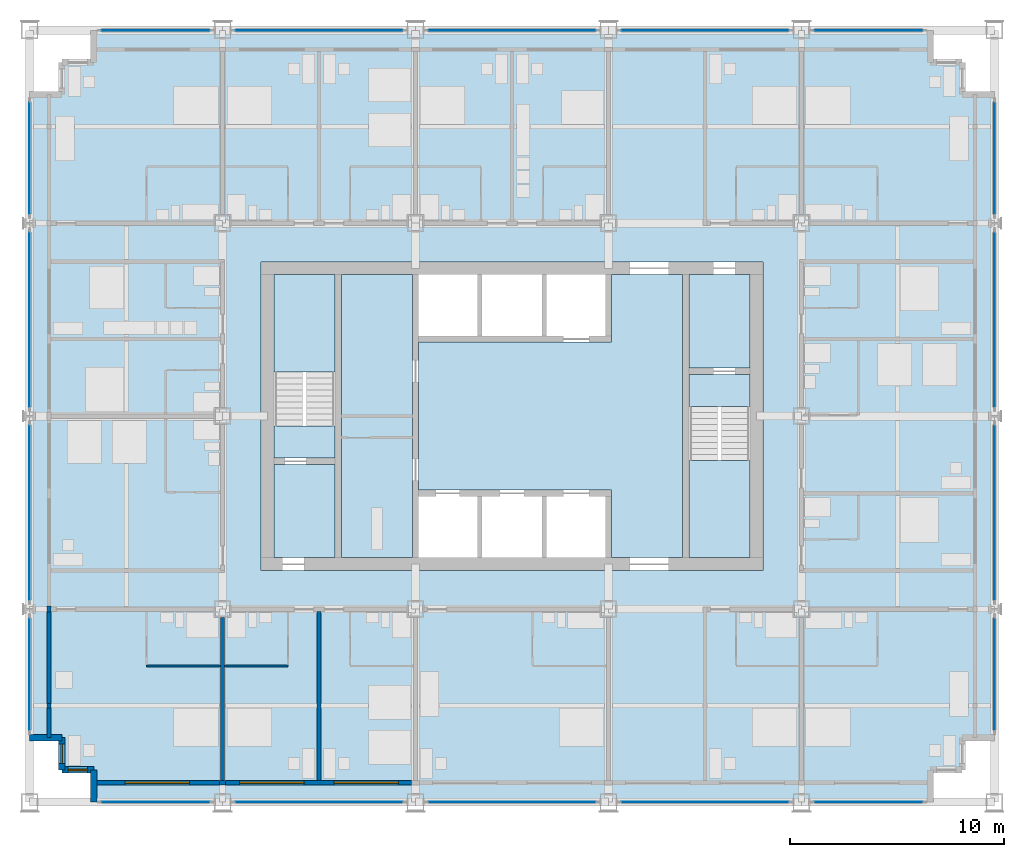
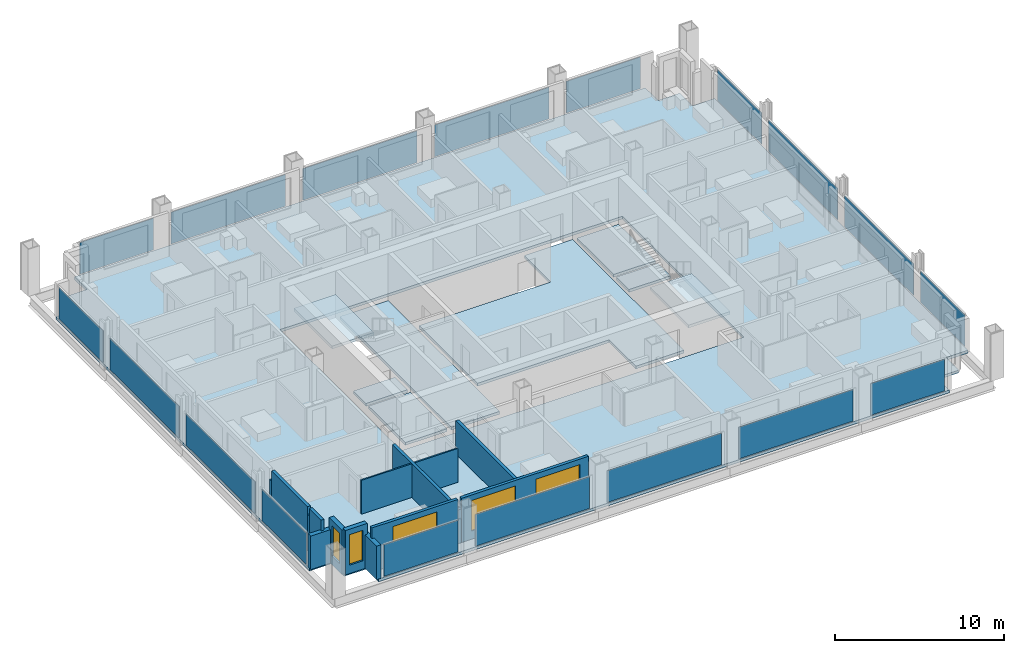
# One storey, part 8 of 17: 18 plates, 15 walls, 9 slabs, 5 windows, 5 openings, 20 elements without a shape of their own.
"""IFC4 building model written with IfcOpenShell, lengths in metres."""

from ifc_helpers import new_model, si_unit, direction, frame, frame_2d, origin, origin_2d, place, context, subcontext, project, spatial, polyline, rectangle, outline, extrude, material, layer, layer_set, type_object, element, fill, aggregate, save


model = new_model("IFC4")

# Units and contexts
model_context = context("Model", 3, precision=1e-05, world=origin(), true_north=direction((0.0, 1.0)))
body_context = subcontext(model_context, "Body", "Model", "MODEL_VIEW")
ifc_project = project(units=[si_unit("LENGTHUNIT", "METRE"), si_unit("AREAUNIT", "SQUARE_METRE"), si_unit("VOLUMEUNIT", "CUBIC_METRE"), si_unit("PLANEANGLEUNIT", "RADIAN"), si_unit("MASSUNIT", "GRAM", prefix="KILO")], contexts=[model_context])

# Site, building, storey
site_placement = place(None, origin())
site = spatial("IfcSite", under=ifc_project, at=site_placement, CompositionType="ELEMENT")
building_placement = place(site_placement, origin())
building = spatial("IfcBuilding", under=site, at=building_placement, Name="Loomwork Tower", CompositionType="ELEMENT")
storey_placement = place(building_placement, frame((0.0, 0.0, 145.199951171875)))
storey = spatial("IfcBuildingStorey", under=building, at=storey_placement, Name="L39", CompositionType="ELEMENT", Elevation=145.199951171875)

# Slabs
ifc_material_1 = material(Name="Concrete 5000 psi (34 MPa) on composite metal deck", Category="concrete")
ifc_layer_1 = layer(ifc_material_1, 0.199951171875)
ifc_layer_set_1 = layer_set([ifc_layer_1], Name="Floor slab 200")
slab_type_1 = type_object("IfcSlabType", Name="Floor slab 200", PredefinedType="FLOOR", material=ifc_layer_set_1)
slab_1_placement = place(storey_placement, frame((0.0, 0.0, -0.199951171875)))
element("IfcSlab", 1, at=slab_1_placement, inside=storey, type_object=slab_type_1, Name="Floor slab L39", PredefinedType="FLOOR", context=body_context, shape_type="SweptSolid", body=[
    extrude(outline(polyline([(3.0, 1.5), (1.5, 1.5), (1.5, 3.0), (0.0, 3.0), (0.0, 33.0), (1.5, 33.0), (1.5, 34.5), (3.0, 34.5), (3.0, 36.0), (42.0, 36.0), (42.0, 34.5), (43.5, 34.5), (43.5, 33.0), (45.0, 33.0), (45.0, 3.0), (43.5, 3.0), (43.5, 1.5), (42.0, 1.5), (42.0, 0.0), (3.0, 0.0), (3.0, 1.5)]), holes=[polyline([(10.800048828125, 11.39990234375), (10.800048828125, 11.39990234375), (10.800048828125, 10.800048828125), (34.199951171875, 10.800048828125), (34.199951171875, 11.39990234375), (34.199951171875, 11.39990234375), (34.199951171875, 24.60009765625), (34.199951171875, 25.199951171875), (10.800048828125, 25.199951171875), (10.800048828125, 24.60009765625), (10.800048828125, 11.39990234375)])]), origin(), (0.0, 0.0, 1.0), 0.199951171875),
])
slab_2_placement = place(storey_placement, frame((0.0, 0.0, -0.199951171875)))
element("IfcSlab", 2, at=slab_2_placement, inside=storey, type_object=slab_type_1, Name="Floor slab L39", PredefinedType="FLOOR", context=body_context, shape_type="SweptSolid", body=[
    extrude(outline(polyline([(30.449951171875, 24.60009765625), (30.449951171875, 11.39990234375), (27.14990234375, 11.39990234375), (27.14990234375, 14.25), (27.14990234375, 14.550048828125), (18.14990234375, 14.550048828125), (18.14990234375, 21.449951171875), (27.14990234375, 21.449951171875), (27.14990234375, 21.75), (27.14990234375, 24.60009765625), (30.449951171875, 24.60009765625)])), origin(), (0.0, 0.0, 1.0), 0.199951171875),
])
slab_3_placement = place(storey_placement, frame((0.0, 0.0, -0.199951171875)))
element("IfcSlab", 3, at=slab_3_placement, inside=storey, type_object=slab_type_1, Name="Floor slab L39", PredefinedType="FLOOR", context=body_context, shape_type="SweptSolid", body=[
    extrude(outline(polyline([(14.550048828125, 11.39990234375), (14.550048828125, 24.60009765625), (17.85009765625, 24.60009765625), (17.85009765625, 11.39990234375), (14.550048828125, 11.39990234375)])), origin(), (0.0, 0.0, 1.0), 0.199951171875),
])
slab_4_placement = place(storey_placement, frame((0.0, 0.0, -0.199951171875)))
element("IfcSlab", 4, at=slab_4_placement, inside=storey, type_object=slab_type_1, Name="Floor slab L39", PredefinedType="FLOOR", context=body_context, shape_type="SweptSolid", body=[
    extrude(outline(polyline([(33.60009765625, 20.25), (30.75, 20.25), (30.75, 24.60009765625), (33.60009765625, 24.60009765625), (33.60009765625, 20.25)])), origin(), (0.0, 0.0, 1.0), 0.199951171875),
])
slab_5_placement = place(storey_placement, frame((0.0, 0.0, -0.199951171875)))
element("IfcSlab", 5, at=slab_5_placement, inside=storey, type_object=slab_type_1, Name="Floor slab L39", PredefinedType="FLOOR", context=body_context, shape_type="SweptSolid", body=[
    extrude(outline(polyline([(14.25, 15.75), (14.25, 11.39990234375), (11.39990234375, 11.39990234375), (11.39990234375, 15.75), (14.25, 15.75)])), origin(), (0.0, 0.0, 1.0), 0.199951171875),
])

# Curtain wall, plate
ifc_material_2 = material(Name="Aluminium curtain wall frame", Category="aluminium")
curtain_wall_type = type_object("IfcCurtainWallType", Name="Outer skin glazing hotel", PredefinedType="NOTDEFINED", material=ifc_material_2)
curtain_wall_1_placement = place(storey_placement, origin())
curtain_wall_1 = element("IfcCurtainWall", 6, at=curtain_wall_1_placement, inside=storey, type_object=curtain_wall_type, Name="Outer skin glazing hotel cw/S-0", PredefinedType="NOTDEFINED")
ifc_material_3 = material(Name="Clear laminated glass", Category="glass")
ifc_layer_2 = layer(ifc_material_3, 0.02392578125)
ifc_layer_set_2 = layer_set([ifc_layer_2], Name="Outer skin glazing hotel panel")
plate_type = type_object("IfcPlateType", Name="Outer skin glazing hotel panel", PredefinedType="CURTAIN_PANEL", material=ifc_layer_set_2)
plate_1_placement = place(storey_placement, frame((5.875, 0.0, 0.06494140625), z_axis=(0.0, 0.0, 1.0), x_axis=(1.0, 0.0, 0.0)))
plate_1 = element("IfcPlate", 7, at=plate_1_placement, type_object=plate_type, Name="CW1 panel 1.1", PredefinedType="CURTAIN_PANEL", context=body_context, shape_type="SweptSolid", body=[
    extrude(rectangle(XDim=5.050048828125, YDim=0.02392578125, at=origin_2d()), origin(), (0.0, 0.0, 1.0), 2.290283203125),
])
aggregate(curtain_wall_1, [plate_1])

curtain_wall_2_placement = place(storey_placement, origin())
curtain_wall_2 = element("IfcCurtainWall", 8, at=curtain_wall_2_placement, inside=storey, type_object=curtain_wall_type, Name="Outer skin glazing hotel cw/S-9", PredefinedType="NOTDEFINED")
plate_2_placement = place(storey_placement, frame((13.5, 0.0, 0.06494140625), z_axis=(0.0, 0.0, 1.0), x_axis=(1.0, 0.0, 0.0)))
plate_2 = element("IfcPlate", 9, at=plate_2_placement, type_object=plate_type, Name="CW1 panel 1.1", PredefinedType="CURTAIN_PANEL", context=body_context, shape_type="SweptSolid", body=[
    extrude(rectangle(XDim=7.800048828125, YDim=0.02392578125, at=origin_2d()), origin(), (0.0, 0.0, 1.0), 2.290283203125),
])
aggregate(curtain_wall_2, [plate_2])

curtain_wall_3_placement = place(storey_placement, origin())
curtain_wall_3 = element("IfcCurtainWall", 10, at=curtain_wall_3_placement, inside=storey, type_object=curtain_wall_type, Name="Outer skin glazing hotel cw/S-18", PredefinedType="NOTDEFINED")
plate_3_placement = place(storey_placement, frame((22.5, 0.0, 0.06494140625), z_axis=(0.0, 0.0, 1.0), x_axis=(1.0, 0.0, 0.0)))
plate_3 = element("IfcPlate", 11, at=plate_3_placement, type_object=plate_type, Name="CW1 panel 1.1", PredefinedType="CURTAIN_PANEL", context=body_context, shape_type="SweptSolid", body=[
    extrude(rectangle(XDim=7.800048828125, YDim=0.02392578125, at=origin_2d()), origin(), (0.0, 0.0, 1.0), 2.290283203125),
])
aggregate(curtain_wall_3, [plate_3])

curtain_wall_4_placement = place(storey_placement, origin())
curtain_wall_4 = element("IfcCurtainWall", 12, at=curtain_wall_4_placement, inside=storey, type_object=curtain_wall_type, Name="Outer skin glazing hotel cw/S-27", PredefinedType="NOTDEFINED")
plate_4_placement = place(storey_placement, frame((31.5, 0.0, 0.06494140625), z_axis=(0.0, 0.0, 1.0), x_axis=(1.0, 0.0, 0.0)))
plate_4 = element("IfcPlate", 13, at=plate_4_placement, type_object=plate_type, Name="CW1 panel 1.1", PredefinedType="CURTAIN_PANEL", context=body_context, shape_type="SweptSolid", body=[
    extrude(rectangle(XDim=7.800048828125, YDim=0.02392578125, at=origin_2d()), origin(), (0.0, 0.0, 1.0), 2.290283203125),
])
aggregate(curtain_wall_4, [plate_4])

curtain_wall_5_placement = place(storey_placement, origin())
curtain_wall_5 = element("IfcCurtainWall", 14, at=curtain_wall_5_placement, inside=storey, type_object=curtain_wall_type, Name="Outer skin glazing hotel cw/S-36", PredefinedType="NOTDEFINED")
plate_5_placement = place(storey_placement, frame((39.125, 0.0, 0.06494140625), z_axis=(0.0, 0.0, 1.0), x_axis=(1.0, 0.0, 0.0)))
plate_5 = element("IfcPlate", 15, at=plate_5_placement, type_object=plate_type, Name="CW1 panel 1.1", PredefinedType="CURTAIN_PANEL", context=body_context, shape_type="SweptSolid", body=[
    extrude(rectangle(XDim=5.050048828125, YDim=0.02392578125, at=origin_2d()), origin(), (0.0, 0.0, 1.0), 2.290283203125),
])
aggregate(curtain_wall_5, [plate_5])

curtain_wall_6_placement = place(storey_placement, origin())
curtain_wall_6 = element("IfcCurtainWall", 16, at=curtain_wall_6_placement, inside=storey, type_object=curtain_wall_type, Name="Outer skin glazing hotel cw/N-0", PredefinedType="NOTDEFINED")
plate_6_placement = place(storey_placement, frame((5.875, 36.0, 0.06494140625), z_axis=(0.0, 0.0, 1.0), x_axis=(-1.0, 0.0, 0.0)))
plate_6 = element("IfcPlate", 17, at=plate_6_placement, type_object=plate_type, Name="CW1 panel 1.1", PredefinedType="CURTAIN_PANEL", context=body_context, shape_type="SweptSolid", body=[
    extrude(rectangle(XDim=5.050048828125, YDim=0.02392578125, at=origin_2d()), origin(), (0.0, 0.0, 1.0), 2.290283203125),
])
aggregate(curtain_wall_6, [plate_6])

curtain_wall_7_placement = place(storey_placement, origin())
curtain_wall_7 = element("IfcCurtainWall", 18, at=curtain_wall_7_placement, inside=storey, type_object=curtain_wall_type, Name="Outer skin glazing hotel cw/N-9", PredefinedType="NOTDEFINED")
plate_7_placement = place(storey_placement, frame((13.5, 36.0, 0.06494140625), z_axis=(0.0, 0.0, 1.0), x_axis=(-1.0, 0.0, 0.0)))
plate_7 = element("IfcPlate", 19, at=plate_7_placement, type_object=plate_type, Name="CW1 panel 1.1", PredefinedType="CURTAIN_PANEL", context=body_context, shape_type="SweptSolid", body=[
    extrude(rectangle(XDim=7.800048828125, YDim=0.02392578125, at=origin_2d()), origin(), (0.0, 0.0, 1.0), 2.290283203125),
])
aggregate(curtain_wall_7, [plate_7])

curtain_wall_8_placement = place(storey_placement, origin())
curtain_wall_8 = element("IfcCurtainWall", 20, at=curtain_wall_8_placement, inside=storey, type_object=curtain_wall_type, Name="Outer skin glazing hotel cw/N-18", PredefinedType="NOTDEFINED")
plate_8_placement = place(storey_placement, frame((22.5, 36.0, 0.06494140625), z_axis=(0.0, 0.0, 1.0), x_axis=(-1.0, 0.0, 0.0)))
plate_8 = element("IfcPlate", 21, at=plate_8_placement, type_object=plate_type, Name="CW1 panel 1.1", PredefinedType="CURTAIN_PANEL", context=body_context, shape_type="SweptSolid", body=[
    extrude(rectangle(XDim=7.800048828125, YDim=0.02392578125, at=origin_2d()), origin(), (0.0, 0.0, 1.0), 2.290283203125),
])
aggregate(curtain_wall_8, [plate_8])

curtain_wall_9_placement = place(storey_placement, origin())
curtain_wall_9 = element("IfcCurtainWall", 22, at=curtain_wall_9_placement, inside=storey, type_object=curtain_wall_type, Name="Outer skin glazing hotel cw/N-27", PredefinedType="NOTDEFINED")
plate_9_placement = place(storey_placement, frame((31.5, 36.0, 0.06494140625), z_axis=(0.0, 0.0, 1.0), x_axis=(-1.0, 0.0, 0.0)))
plate_9 = element("IfcPlate", 23, at=plate_9_placement, type_object=plate_type, Name="CW1 panel 1.1", PredefinedType="CURTAIN_PANEL", context=body_context, shape_type="SweptSolid", body=[
    extrude(rectangle(XDim=7.800048828125, YDim=0.02392578125, at=origin_2d()), origin(), (0.0, 0.0, 1.0), 2.290283203125),
])
aggregate(curtain_wall_9, [plate_9])

curtain_wall_10_placement = place(storey_placement, origin())
curtain_wall_10 = element("IfcCurtainWall", 24, at=curtain_wall_10_placement, inside=storey, type_object=curtain_wall_type, Name="Outer skin glazing hotel cw/N-36", PredefinedType="NOTDEFINED")
plate_10_placement = place(storey_placement, frame((39.125, 36.0, 0.06494140625), z_axis=(0.0, 0.0, 1.0), x_axis=(-1.0, 0.0, 0.0)))
plate_10 = element("IfcPlate", 25, at=plate_10_placement, type_object=plate_type, Name="CW1 panel 1.1", PredefinedType="CURTAIN_PANEL", context=body_context, shape_type="SweptSolid", body=[
    extrude(rectangle(XDim=5.050048828125, YDim=0.02392578125, at=origin_2d()), origin(), (0.0, 0.0, 1.0), 2.290283203125),
])
aggregate(curtain_wall_10, [plate_10])

curtain_wall_11_placement = place(storey_placement, origin())
curtain_wall_11 = element("IfcCurtainWall", 26, at=curtain_wall_11_placement, inside=storey, type_object=curtain_wall_type, Name="Outer skin glazing hotel cw/W-0", PredefinedType="NOTDEFINED")
plate_11_placement = place(storey_placement, frame((0.0, 5.964599609375, 0.06494140625), z_axis=(0.0, 0.0, 1.0), x_axis=(0.0, -1.0, 0.0)))
plate_11 = element("IfcPlate", 27, at=plate_11_placement, type_object=plate_type, Name="CW1 panel 1.1", PredefinedType="CURTAIN_PANEL", context=body_context, shape_type="SweptSolid", body=[
    extrude(rectangle(XDim=5.22900390625, YDim=0.02392578125, at=origin_2d()), origin(), (0.0, 0.0, 1.0), 2.290283203125),
])
aggregate(curtain_wall_11, [plate_11])

curtain_wall_12_placement = place(storey_placement, origin())
curtain_wall_12 = element("IfcCurtainWall", 28, at=curtain_wall_12_placement, inside=storey, type_object=curtain_wall_type, Name="Outer skin glazing hotel cw/W-9", PredefinedType="NOTDEFINED")
plate_12_placement = place(storey_placement, frame((0.0, 13.5, 0.06494140625), z_axis=(0.0, 0.0, 1.0), x_axis=(0.0, -1.0, 0.0)))
plate_12 = element("IfcPlate", 29, at=plate_12_placement, type_object=plate_type, Name="CW1 panel 1.1", PredefinedType="CURTAIN_PANEL", context=body_context, shape_type="SweptSolid", body=[
    extrude(rectangle(XDim=8.157958984375, YDim=0.02392578125, at=origin_2d()), origin(), (0.0, 0.0, 1.0), 2.290283203125),
])
aggregate(curtain_wall_12, [plate_12])

curtain_wall_13_placement = place(storey_placement, origin())
curtain_wall_13 = element("IfcCurtainWall", 30, at=curtain_wall_13_placement, inside=storey, type_object=curtain_wall_type, Name="Outer skin glazing hotel cw/W-18", PredefinedType="NOTDEFINED")
plate_13_placement = place(storey_placement, frame((0.0, 22.5, 0.06494140625), z_axis=(0.0, 0.0, 1.0), x_axis=(0.0, -1.0, 0.0)))
plate_13 = element("IfcPlate", 31, at=plate_13_placement, type_object=plate_type, Name="CW1 panel 1.1", PredefinedType="CURTAIN_PANEL", context=body_context, shape_type="SweptSolid", body=[
    extrude(rectangle(XDim=8.157958984375, YDim=0.02392578125, at=origin_2d()), origin(), (0.0, 0.0, 1.0), 2.290283203125),
])
aggregate(curtain_wall_13, [plate_13])

curtain_wall_14_placement = place(storey_placement, origin())
curtain_wall_14 = element("IfcCurtainWall", 32, at=curtain_wall_14_placement, inside=storey, type_object=curtain_wall_type, Name="Outer skin glazing hotel cw/W-27", PredefinedType="NOTDEFINED")
plate_14_placement = place(storey_placement, frame((0.0, 30.035400390625, 0.06494140625), z_axis=(0.0, 0.0, 1.0), x_axis=(0.0, -1.0, 0.0)))
plate_14 = element("IfcPlate", 33, at=plate_14_placement, type_object=plate_type, Name="CW1 panel 1.1", PredefinedType="CURTAIN_PANEL", context=body_context, shape_type="SweptSolid", body=[
    extrude(rectangle(XDim=5.22900390625, YDim=0.02392578125, at=origin_2d()), origin(), (0.0, 0.0, 1.0), 2.290283203125),
])
aggregate(curtain_wall_14, [plate_14])

curtain_wall_15_placement = place(storey_placement, origin())
curtain_wall_15 = element("IfcCurtainWall", 34, at=curtain_wall_15_placement, inside=storey, type_object=curtain_wall_type, Name="Outer skin glazing hotel cw/E-0", PredefinedType="NOTDEFINED")
plate_15_placement = place(storey_placement, frame((45.0, 5.964599609375, 0.06494140625), z_axis=(0.0, 0.0, 1.0), x_axis=(0.0, 1.0, 0.0)))
plate_15 = element("IfcPlate", 35, at=plate_15_placement, type_object=plate_type, Name="CW1 panel 1.1", PredefinedType="CURTAIN_PANEL", context=body_context, shape_type="SweptSolid", body=[
    extrude(rectangle(XDim=5.22900390625, YDim=0.02392578125, at=origin_2d()), origin(), (0.0, 0.0, 1.0), 2.290283203125),
])
aggregate(curtain_wall_15, [plate_15])

curtain_wall_16_placement = place(storey_placement, origin())
curtain_wall_16 = element("IfcCurtainWall", 36, at=curtain_wall_16_placement, inside=storey, type_object=curtain_wall_type, Name="Outer skin glazing hotel cw/E-9", PredefinedType="NOTDEFINED")
plate_16_placement = place(storey_placement, frame((45.0, 13.5, 0.06494140625), z_axis=(0.0, 0.0, 1.0), x_axis=(0.0, 1.0, 0.0)))
plate_16 = element("IfcPlate", 37, at=plate_16_placement, type_object=plate_type, Name="CW1 panel 1.1", PredefinedType="CURTAIN_PANEL", context=body_context, shape_type="SweptSolid", body=[
    extrude(rectangle(XDim=8.157958984375, YDim=0.02392578125, at=origin_2d()), origin(), (0.0, 0.0, 1.0), 2.290283203125),
])
aggregate(curtain_wall_16, [plate_16])

curtain_wall_17_placement = place(storey_placement, origin())
curtain_wall_17 = element("IfcCurtainWall", 38, at=curtain_wall_17_placement, inside=storey, type_object=curtain_wall_type, Name="Outer skin glazing hotel cw/E-18", PredefinedType="NOTDEFINED")
plate_17_placement = place(storey_placement, frame((45.0, 22.5, 0.06494140625), z_axis=(0.0, 0.0, 1.0), x_axis=(0.0, 1.0, 0.0)))
plate_17 = element("IfcPlate", 39, at=plate_17_placement, type_object=plate_type, Name="CW1 panel 1.1", PredefinedType="CURTAIN_PANEL", context=body_context, shape_type="SweptSolid", body=[
    extrude(rectangle(XDim=8.157958984375, YDim=0.02392578125, at=origin_2d()), origin(), (0.0, 0.0, 1.0), 2.290283203125),
])
aggregate(curtain_wall_17, [plate_17])

curtain_wall_18_placement = place(storey_placement, origin())
curtain_wall_18 = element("IfcCurtainWall", 40, at=curtain_wall_18_placement, inside=storey, type_object=curtain_wall_type, Name="Outer skin glazing hotel cw/E-27", PredefinedType="NOTDEFINED")
plate_18_placement = place(storey_placement, frame((45.0, 30.035400390625, 0.06494140625), z_axis=(0.0, 0.0, 1.0), x_axis=(0.0, 1.0, 0.0)))
plate_18 = element("IfcPlate", 41, at=plate_18_placement, type_object=plate_type, Name="CW1 panel 1.1", PredefinedType="CURTAIN_PANEL", context=body_context, shape_type="SweptSolid", body=[
    extrude(rectangle(XDim=5.22900390625, YDim=0.02392578125, at=origin_2d()), origin(), (0.0, 0.0, 1.0), 2.290283203125),
])
aggregate(curtain_wall_18, [plate_18])

# Stair, slabs
ifc_material_4 = material(Name="Concrete 5000 psi (34 MPa) precast stair", Category="concrete")
stair_type_1 = type_object("IfcStairType", Name="Stair ST-A 20 risers 2850 wide", PredefinedType="HALF_TURN_STAIR", material=ifc_material_4)
stair_1_placement = place(storey_placement, origin())
stair_1 = element("IfcStair", 42, at=stair_1_placement, inside=storey, type_object=stair_type_1, Name="Stair A L39", PredefinedType="HALF_TURN_STAIR")
ifc_material_5 = material(Name="Concrete 5000 psi (34 MPa)", Category="concrete")
ifc_layer_3 = layer(ifc_material_5, 0.199951171875)
ifc_layer_set_3 = layer_set([ifc_layer_3], Name="Stair landing 200")
slab_type_2 = type_object("IfcSlabType", Name="Stair landing 200", PredefinedType="LANDING", material=ifc_layer_set_3)
slab_6_placement = place(storey_placement, frame((0.0, 0.0, -0.199951171875)))
slab_6 = element("IfcSlab", 43, at=slab_6_placement, type_object=slab_type_2, Name="ST-A landing 1", PredefinedType="LANDING", context=body_context, shape_type="SweptSolid", body=[
    extrude(outline(polyline([(11.39990234375, 16.050048828125), (14.25, 16.050048828125), (14.25, 17.550048828125), (11.39990234375, 17.550048828125), (11.39990234375, 16.050048828125)])), origin(), (0.0, 0.0, 1.0), 0.199951171875),
])
slab_7_placement = place(storey_placement, frame((0.0, 0.0, 1.5)))
slab_7 = element("IfcSlab", 44, at=slab_7_placement, type_object=slab_type_2, Name="ST-A landing 2", PredefinedType="LANDING", context=body_context, shape_type="SweptSolid", body=[
    extrude(outline(polyline([(11.39990234375, 20.070068359375), (14.25, 20.070068359375), (14.25, 24.60009765625), (11.39990234375, 24.60009765625), (11.39990234375, 20.070068359375)])), origin(), (0.0, 0.0, 1.0), 0.199951171875),
])
aggregate(stair_1, [slab_6, slab_7])

ifc_material_6 = material(Name="Concrete 5000 psi (34 MPa) precast stair", Category="concrete")
stair_type_2 = type_object("IfcStairType", Name="Stair ST-B 20 risers 2850 wide", PredefinedType="HALF_TURN_STAIR", material=ifc_material_6)
stair_2_placement = place(storey_placement, origin())
stair_2 = element("IfcStair", 45, at=stair_2_placement, inside=storey, type_object=stair_type_2, Name="Stair B L39", PredefinedType="HALF_TURN_STAIR")
slab_8_placement = place(storey_placement, frame((0.0, 0.0, -0.199951171875)))
slab_8 = element("IfcSlab", 46, at=slab_8_placement, type_object=slab_type_2, Name="ST-B landing 1", PredefinedType="LANDING", context=body_context, shape_type="SweptSolid", body=[
    extrude(outline(polyline([(30.75, 18.449951171875), (33.60009765625, 18.449951171875), (33.60009765625, 19.949951171875), (30.75, 19.949951171875), (30.75, 18.449951171875)])), origin(), (0.0, 0.0, 1.0), 0.199951171875),
])
slab_9_placement = place(storey_placement, frame((0.0, 0.0, 1.5)))
slab_9 = element("IfcSlab", 47, at=slab_9_placement, type_object=slab_type_2, Name="ST-B landing 2", PredefinedType="LANDING", context=body_context, shape_type="SweptSolid", body=[
    extrude(outline(polyline([(30.75, 11.39990234375), (33.60009765625, 11.39990234375), (33.60009765625, 15.929931640625), (30.75, 15.929931640625), (30.75, 11.39990234375)])), origin(), (0.0, 0.0, 1.0), 0.199951171875),
])
aggregate(stair_2, [slab_8, slab_9])

# Walls
ifc_material_7 = material(Name="Cement board on steel studs", Category="steel")
ifc_layer_4 = layer(ifc_material_7, 0.10009765625)
ifc_layer_set_4 = layer_set([ifc_layer_4], Name="En-suite partition 100")
wall_type_1 = type_object("IfcWallType", Name="En-suite partition 100", PredefinedType="PARTITIONING", material=ifc_layer_set_4)
wall_1_placement = place(storey_placement, frame((5.449951171875, 6.35009765625, 0.0), z_axis=(0.0, 0.0, 1.0), x_axis=(1.0, 0.0, 0.0)))
element("IfcWall", 48, at=wall_1_placement, inside=storey, type_object=wall_type_1, Name="En-suite wall L39 room 1", PredefinedType="PARTITIONING", context=body_context, shape_type="SweptSolid", body=[
    extrude(rectangle(XDim=3.449951171875, YDim=0.10009765625, at=frame_2d((1.72509765625, 0.0))), origin(), (0.0, 0.0, 1.0), 2.43798828125),
])
wall_2_placement = place(storey_placement, frame((9.10009765625, 6.35009765625, 0.0), z_axis=(0.0, 0.0, 1.0), x_axis=(1.0, 0.0, 0.0)))
element("IfcWall", 49, at=wall_2_placement, inside=storey, type_object=wall_type_1, Name="En-suite wall L39 room 2", PredefinedType="PARTITIONING", context=body_context, shape_type="SweptSolid", body=[
    extrude(rectangle(XDim=2.949951171875, YDim=0.10009765625, at=frame_2d((1.47509765625, 0.0))), origin(), (0.0, 0.0, 1.0), 2.43798828125),
])
ifc_material_8 = material(Name="Gypsum board on steel studs, acoustic", Category="steel")
ifc_layer_5 = layer(ifc_material_8, 0.199951171875)
ifc_layer_set_5 = layer_set([ifc_layer_5], Name="Guest room party wall 200")
wall_type_2 = type_object("IfcWallType", Name="Guest room party wall 200", PredefinedType="PARTITIONING", material=ifc_layer_set_5)
wall_3_placement = place(storey_placement, frame((9.0, 8.60009765625, 0.0), z_axis=(0.0, 0.0, 1.0), x_axis=(0.0, -1.0, 0.0)))
element("IfcWall", 50, at=wall_3_placement, inside=storey, type_object=wall_type_2, Name="Guest room party wall S 9", PredefinedType="PARTITIONING", context=body_context, shape_type="SweptSolid", body=[
    extrude(rectangle(XDim=7.60009765625, YDim=0.199951171875, at=frame_2d((3.800048828125, 0.0))), origin(), (0.0, 0.0, 1.0), 2.43798828125),
])
wall_4_placement = place(storey_placement, frame((13.5, 8.89990234375, 0.0), z_axis=(0.0, 0.0, 1.0), x_axis=(0.0, -1.0, 0.0)))
element("IfcWall", 51, at=wall_4_placement, inside=storey, type_object=wall_type_2, Name="Guest room party wall S 13.5", PredefinedType="PARTITIONING", context=body_context, shape_type="SweptSolid", body=[
    extrude(rectangle(XDim=7.89990234375, YDim=0.199951171875, at=frame_2d((3.949951171875, 0.0))), origin(), (0.0, 0.0, 1.0), 2.404052734375),
])

# Wall, opening, window
ifc_material_9 = material(Name="Insulated steel stud wall with gypsum lining", Category="steel")
ifc_layer_6 = layer(ifc_material_9, 0.199951171875)
ifc_layer_set_6 = layer_set([ifc_layer_6], Name="Inner skin wall 200")
wall_type_3 = type_object("IfcWallType", Name="Inner skin wall 200", PredefinedType="SOLIDWALL", material=ifc_layer_set_6)
wall_5_placement = place(storey_placement, frame((3.0, 0.89990234375, 0.0), z_axis=(0.0, 0.0, 1.0), x_axis=(1.0, 0.0, 0.0)))
wall_5 = element("IfcWall", 52, at=wall_5_placement, inside=storey, type_object=wall_type_3, Name="Inner skin wall S", PredefinedType="SOLIDWALL", context=body_context, shape_type="SweptSolid", body=[
    extrude(rectangle(XDim=5.86474609375, YDim=0.199951171875, at=frame_2d((2.932373046875, 0.0))), origin(), (0.0, 0.0, 1.0), 3.199951171875),
])
opening_1_placement = place(wall_5_placement, frame((1.449951171875, 0.0, 0.60009765625)))
opening_1 = element("IfcOpeningElement", 53, at=opening_1_placement, cuts=wall_5, Name="Opening CH1", PredefinedType="OPENING", context=body_context, shape_type="SweptSolid", body=[
    extrude(rectangle(XDim=3.0, YDim=2.199951171875, at=frame_2d((1.5, 1.10009765625))), frame((0.0, 0.10986328125, 0.0), z_axis=(0.0, -1.0, 0.0), x_axis=(1.0, 0.0, 0.0)), (0.0, 0.0, 1.0), 0.219970703125),
])
ifc_material_10 = material(Name="Aluminium frame with clear insulated glass", Category="aluminium")
window_type_1 = type_object("IfcWindowType", Name="Chicago window 3000", PartitioningType="TRIPLE_PANEL_VERTICAL", PredefinedType="WINDOW", material=ifc_material_10)
window_1_placement = place(opening_1_placement, origin())
window_1 = element("IfcWindow", 54, at=window_1_placement, inside=storey, type_object=window_type_1, Name="Chicago window L39 bay 1", OverallHeight=2.199951171875, OverallWidth=3.0, PartitioningType="TRIPLE_PANEL_VERTICAL", PredefinedType="WINDOW", context=body_context, shape_type="SweptSolid", body=[
    extrude(rectangle(XDim=3.0, YDim=2.199951171875, at=frame_2d((1.5, 1.10009765625))), frame((0.0, 0.030029296875, 0.0), z_axis=(0.0, -1.0, 0.0), x_axis=(1.0, 0.0, 0.0)), (0.0, 0.0, 1.0), 0.06005859375),
])
fill(opening_1, window_1)

# Walls
wall_6_placement = place(storey_placement, frame((0.89990234375, 3.0, 0.0), z_axis=(0.0, 0.0, 1.0), x_axis=(0.0, 1.0, 0.0)))
element("IfcWall", 55, at=wall_6_placement, inside=storey, type_object=wall_type_3, Name="Inner skin wall W", PredefinedType="SOLIDWALL", context=body_context, shape_type="SweptSolid", body=[
    extrude(rectangle(XDim=1.392578125, YDim=0.199951171875, at=frame_2d((0.6962890625, 0.0))), origin(), (0.0, 0.0, 1.0), 3.199951171875),
])
wall_7_placement = place(storey_placement, frame((8.86474609375, 0.89990234375, 0.0), z_axis=(0.0, 0.0, 1.0), x_axis=(1.0, 0.0, 0.0)))
element("IfcWall", 56, at=wall_7_placement, inside=storey, type_object=wall_type_3, Name="Inner skin wall S bay 2", PredefinedType="SOLIDWALL", context=body_context, shape_type="SweptSolid", body=[
    extrude(rectangle(XDim=0.2705078125, YDim=0.199951171875, at=frame_2d((0.13525390625, 0.0))), origin(), (0.0, 0.0, 1.0), 2.43798828125),
])

# Wall, openings, windows
wall_8_placement = place(storey_placement, frame((9.13525390625, 0.89990234375, 0.0), z_axis=(0.0, 0.0, 1.0), x_axis=(1.0, 0.0, 0.0)))
wall_8 = element("IfcWall", 57, at=wall_8_placement, inside=storey, type_object=wall_type_3, Name="Inner skin wall S bay 3", PredefinedType="SOLIDWALL", context=body_context, shape_type="SweptSolid", body=[
    extrude(rectangle(XDim=8.6708984375, YDim=0.199951171875, at=frame_2d((4.33544921875, 0.0))), origin(), (0.0, 0.0, 1.0), 3.199951171875),
])
opening_2_placement = place(wall_8_placement, frame((0.664794921875, 0.0, 0.60009765625)))
opening_2 = element("IfcOpeningElement", 58, at=opening_2_placement, cuts=wall_8, Name="Opening CH1", PredefinedType="OPENING", context=body_context, shape_type="SweptSolid", body=[
    extrude(rectangle(XDim=3.0, YDim=2.199951171875, at=frame_2d((1.5, 1.10009765625))), frame((0.0, 0.10986328125, 0.0), z_axis=(0.0, -1.0, 0.0), x_axis=(1.0, 0.0, 0.0)), (0.0, 0.0, 1.0), 0.219970703125),
])
opening_3_placement = place(wall_8_placement, frame((5.064697265625, 0.0, 0.60009765625)))
opening_3 = element("IfcOpeningElement", 59, at=opening_3_placement, cuts=wall_8, Name="Opening CH1", PredefinedType="OPENING", context=body_context, shape_type="SweptSolid", body=[
    extrude(rectangle(XDim=3.0, YDim=2.199951171875, at=frame_2d((1.5, 1.10009765625))), frame((0.0, 0.10986328125, 0.0), z_axis=(0.0, -1.0, 0.0), x_axis=(1.0, 0.0, 0.0)), (0.0, 0.0, 1.0), 0.219970703125),
])
window_2_placement = place(opening_2_placement, origin())
window_2 = element("IfcWindow", 60, at=window_2_placement, inside=storey, type_object=window_type_1, Name="Chicago window L39 bay 2", OverallHeight=2.199951171875, OverallWidth=3.0, PartitioningType="TRIPLE_PANEL_VERTICAL", PredefinedType="WINDOW", context=body_context, shape_type="SweptSolid", body=[
    extrude(rectangle(XDim=3.0, YDim=2.199951171875, at=frame_2d((1.5, 1.10009765625))), frame((0.0, 0.030029296875, 0.0), z_axis=(0.0, -1.0, 0.0), x_axis=(1.0, 0.0, 0.0)), (0.0, 0.0, 1.0), 0.06005859375),
])
fill(opening_2, window_2)
window_3_placement = place(opening_3_placement, origin())
window_3 = element("IfcWindow", 61, at=window_3_placement, inside=storey, type_object=window_type_1, Name="Chicago window L39 bay 2", OverallHeight=2.199951171875, OverallWidth=3.0, PartitioningType="TRIPLE_PANEL_VERTICAL", PredefinedType="WINDOW", context=body_context, shape_type="SweptSolid", body=[
    extrude(rectangle(XDim=3.0, YDim=2.199951171875, at=frame_2d((1.5, 1.10009765625))), frame((0.0, 0.030029296875, 0.0), z_axis=(0.0, -1.0, 0.0), x_axis=(1.0, 0.0, 0.0)), (0.0, 0.0, 1.0), 0.06005859375),
])
fill(opening_3, window_3)

# Walls
wall_9_placement = place(storey_placement, frame((0.89990234375, 4.392578125, 0.0), z_axis=(0.0, 0.0, 1.0), x_axis=(0.0, 1.0, 0.0)))
element("IfcWall", 62, at=wall_9_placement, inside=storey, type_object=wall_type_3, Name="Inner skin wall W bay 2", PredefinedType="SOLIDWALL", context=body_context, shape_type="SweptSolid", body=[
    extrude(rectangle(XDim=0.21484375, YDim=0.199951171875, at=frame_2d((0.107421875, 0.0))), origin(), (0.0, 0.0, 1.0), 2.6611328125),
])
wall_10_placement = place(storey_placement, frame((0.89990234375, 4.607421875, 0.0), z_axis=(0.0, 0.0, 1.0), x_axis=(0.0, 1.0, 0.0)))
element("IfcWall", 63, at=wall_10_placement, inside=storey, type_object=wall_type_3, Name="Inner skin wall W bay 3", PredefinedType="SOLIDWALL", context=body_context, shape_type="SweptSolid", body=[
    extrude(rectangle(XDim=4.25732421875, YDim=0.199951171875, at=frame_2d((2.128662109375, 0.0))), origin(), (0.0, 0.0, 1.0), 3.199951171875),
])
wall_11_placement = place(storey_placement, frame((0.89990234375, 8.86474609375, 0.0), z_axis=(0.0, 0.0, 1.0), x_axis=(0.0, 1.0, 0.0)))
element("IfcWall", 64, at=wall_11_placement, inside=storey, type_object=wall_type_3, Name="Inner skin wall W bay 4", PredefinedType="SOLIDWALL", context=body_context, shape_type="SweptSolid", body=[
    extrude(rectangle(XDim=0.2705078125, YDim=0.199951171875, at=frame_2d((0.13525390625, 0.0))), origin(), (0.0, 0.0, 1.0), 2.43798828125),
])
ifc_material_11 = material(Name="Limestone on concrete masonry", Category="masonry")
ifc_layer_7 = layer(ifc_material_11, 0.300048828125)
ifc_layer_set_7 = layer_set([ifc_layer_7], Name="Limestone corner wall 300")
wall_type_4 = type_object("IfcWallType", Name="Limestone corner wall 300", PredefinedType="SOLIDWALL", material=ifc_layer_set_7)
wall_12_placement = place(storey_placement, frame((0.0, 3.0, 0.0), z_axis=(0.0, 0.0, 1.0), x_axis=(1.0, 0.0, 0.0)))
element("IfcWall", 65, at=wall_12_placement, inside=storey, type_object=wall_type_4, Name="Stone corner wall SW 1", PredefinedType="SOLIDWALL", context=body_context, shape_type="SweptSolid", body=[
    extrude(rectangle(XDim=1.5, YDim=0.300048828125, at=frame_2d((0.75, 0.0))), origin(), (0.0, 0.0, 1.0), 2.420166015625),
])

# Wall, opening, window
wall_13_placement = place(storey_placement, frame((1.5, 3.0, 0.0), z_axis=(0.0, 0.0, 1.0), x_axis=(0.0, -1.0, 0.0)))
wall_13 = element("IfcWall", 66, at=wall_13_placement, inside=storey, type_object=wall_type_4, Name="Stone corner wall SW 2", PredefinedType="SOLIDWALL", context=body_context, shape_type="SweptSolid", body=[
    extrude(rectangle(XDim=1.5, YDim=0.300048828125, at=frame_2d((0.75, 0.0))), origin(), (0.0, 0.0, 1.0), 3.199951171875),
])
opening_4_placement = place(wall_13_placement, frame((0.300048828125, 0.0, 0.60009765625)))
opening_4 = element("IfcOpeningElement", 67, at=opening_4_placement, cuts=wall_13, Name="Opening CH2", PredefinedType="OPENING", context=body_context, shape_type="SweptSolid", body=[
    extrude(rectangle(XDim=0.89990234375, YDim=2.199951171875, at=frame_2d((0.449951171875, 1.10009765625))), frame((0.0, 0.159912109375, 0.0), z_axis=(0.0, -1.0, 0.0), x_axis=(1.0, 0.0, 0.0)), (0.0, 0.0, 1.0), 0.320068359375),
])
ifc_material_12 = material(Name="Aluminium frame with clear insulated glass", Category="aluminium")
window_type_2 = type_object("IfcWindowType", Name="Corner window 900", PartitioningType="SINGLE_PANEL", PredefinedType="WINDOW", material=ifc_material_12)
window_4_placement = place(opening_4_placement, origin())
window_4 = element("IfcWindow", 68, at=window_4_placement, inside=storey, type_object=window_type_2, Name="Corner window SW", OverallHeight=2.199951171875, OverallWidth=0.89990234375, PartitioningType="SINGLE_PANEL", PredefinedType="WINDOW", context=body_context, shape_type="SweptSolid", body=[
    extrude(rectangle(XDim=0.89990234375, YDim=2.199951171875, at=frame_2d((0.449951171875, 1.10009765625))), frame((0.0, 0.030029296875, 0.0), z_axis=(0.0, -1.0, 0.0), x_axis=(1.0, 0.0, 0.0)), (0.0, 0.0, 1.0), 0.06005859375),
])
fill(opening_4, window_4)

wall_14_placement = place(storey_placement, frame((1.5, 1.5, 0.0), z_axis=(0.0, 0.0, 1.0), x_axis=(1.0, 0.0, 0.0)))
wall_14 = element("IfcWall", 69, at=wall_14_placement, inside=storey, type_object=wall_type_4, Name="Stone corner wall SW 3", PredefinedType="SOLIDWALL", context=body_context, shape_type="SweptSolid", body=[
    extrude(rectangle(XDim=1.5, YDim=0.300048828125, at=frame_2d((0.75, 0.0))), origin(), (0.0, 0.0, 1.0), 3.199951171875),
])
opening_5_placement = place(wall_14_placement, frame((0.300048828125, 0.0, 0.60009765625)))
opening_5 = element("IfcOpeningElement", 70, at=opening_5_placement, cuts=wall_14, Name="Opening CH2", PredefinedType="OPENING", context=body_context, shape_type="SweptSolid", body=[
    extrude(rectangle(XDim=0.89990234375, YDim=2.199951171875, at=frame_2d((0.449951171875, 1.10009765625))), frame((0.0, 0.159912109375, 0.0), z_axis=(0.0, -1.0, 0.0), x_axis=(1.0, 0.0, 0.0)), (0.0, 0.0, 1.0), 0.320068359375),
])
window_5_placement = place(opening_5_placement, origin())
window_5 = element("IfcWindow", 71, at=window_5_placement, inside=storey, type_object=window_type_2, Name="Corner window SW", OverallHeight=2.199951171875, OverallWidth=0.89990234375, PartitioningType="SINGLE_PANEL", PredefinedType="WINDOW", context=body_context, shape_type="SweptSolid", body=[
    extrude(rectangle(XDim=0.89990234375, YDim=2.199951171875, at=frame_2d((0.449951171875, 1.10009765625))), frame((0.0, 0.030029296875, 0.0), z_axis=(0.0, -1.0, 0.0), x_axis=(1.0, 0.0, 0.0)), (0.0, 0.0, 1.0), 0.06005859375),
])
fill(opening_5, window_5)

# Wall
wall_15_placement = place(storey_placement, frame((3.0, 1.5, 0.0), z_axis=(0.0, 0.0, 1.0), x_axis=(0.0, -1.0, 0.0)))
element("IfcWall", 72, at=wall_15_placement, inside=storey, type_object=wall_type_4, Name="Stone corner wall SW 4", PredefinedType="SOLIDWALL", context=body_context, shape_type="SweptSolid", body=[
    extrude(rectangle(XDim=1.5, YDim=0.300048828125, at=frame_2d((0.75, 0.0))), origin(), (0.0, 0.0, 1.0), 2.420166015625),
])

save(model, "model.ifc")
